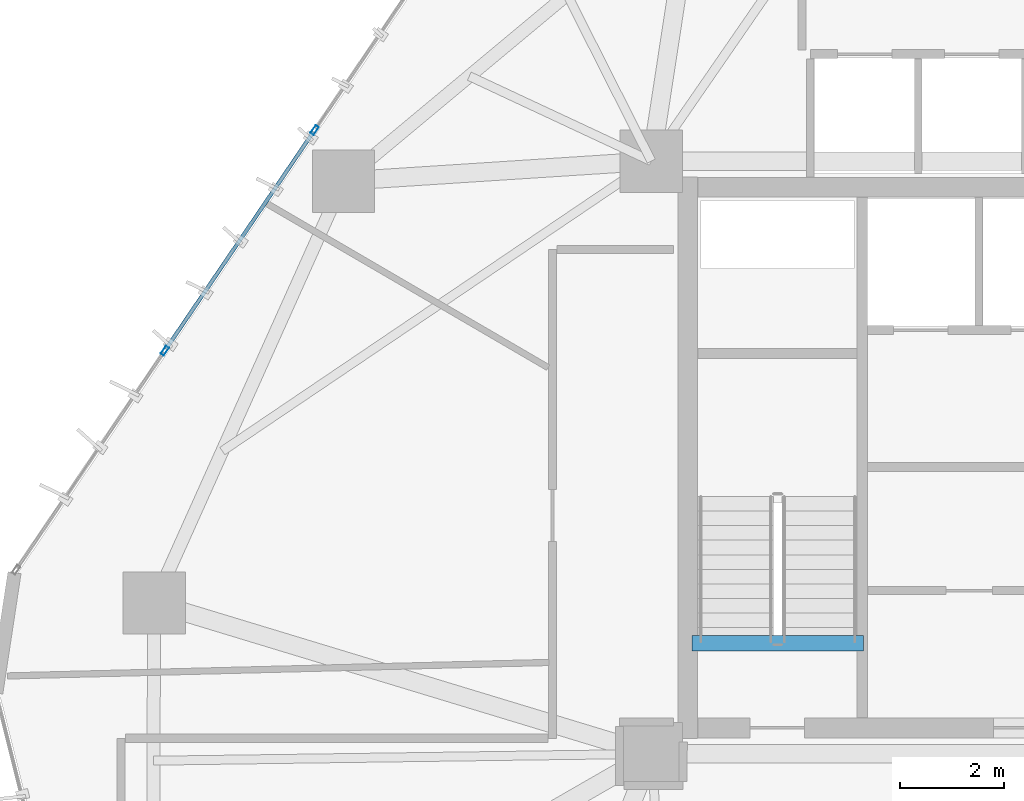
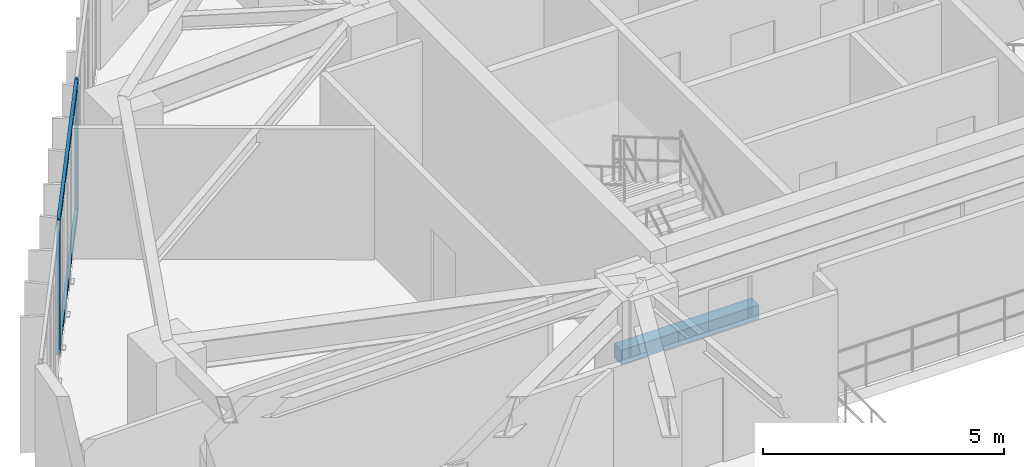
# One storey, part 9 of 22: 4 members, 1 beam, 1 element without a shape of its own.
"""IFC4 building model written with IfcOpenShell, lengths in metres."""

from ifc_helpers import new_model, si_unit, direction, frame, origin, origin_2d, place, context, subcontext, project, spatial, rectangle, hollow_rectangle, extrude, source, transform, mapped, material, layer, layer_set, material_profile, profile_set, type_object, type_shapes, element, aggregate, save


model = new_model("IFC4")

# Units and contexts
model_context = context("Model", 3, precision=1e-05, world=origin(), true_north=direction((0.0, 1.0)))
body_context = subcontext(model_context, "Body", "Model", "MODEL_VIEW")
ifc_project = project(units=[si_unit("LENGTHUNIT", "METRE"), si_unit("AREAUNIT", "SQUARE_METRE"), si_unit("VOLUMEUNIT", "CUBIC_METRE"), si_unit("PLANEANGLEUNIT", "RADIAN"), si_unit("MASSUNIT", "GRAM", prefix="KILO")], contexts=[model_context])

# Site, building, storey
site_placement = place(None, origin())
site = spatial("IfcSite", under=ifc_project, at=site_placement, CompositionType="ELEMENT")
building_placement = place(site_placement, origin())
building = spatial("IfcBuilding", under=site, at=building_placement, Name="Talar Marvaseh", CompositionType="ELEMENT")
storey_placement = place(building_placement, frame((0.0, 0.0, 125.39990234375)))
storey = spatial("IfcBuildingStorey", under=building, at=storey_placement, Name="L32", CompositionType="ELEMENT", Elevation=125.39990234375)

# Beam
ifc_material_1 = material(Name="Concrete C40/50", Category="concrete")
ifc_material_profile_1 = material_profile(ifc_material_1, rectangle(XDim=0.300048828125, YDim=0.360107421875, at=origin_2d()), Name="RC300x360")
ifc_profile_set_1 = profile_set([ifc_material_profile_1], Name="Concrete C40/50")
beam_type = type_object("IfcBeamType", Name="Concrete Stair Landing Trimmer Beam RC300x360", PredefinedType="SPANDREL", material=ifc_profile_set_1)
beam_placement = place(storey_placement, frame((22.780029296875, 27.6298828125, -0.179931640625), z_axis=(-1.0, 0.0, 0.0), x_axis=(0.0, -1.0, 0.0)))
element("IfcBeam", 1, at=beam_placement, inside=storey, type_object=beam_type, Name="L32 ST-1 Stair Nosing Trimmer Beam", PredefinedType="SPANDREL", context=body_context, shape_type="SweptSolid", body=[
    extrude(rectangle(XDim=0.300048828125, YDim=0.360107421875, at=origin_2d()), origin(), (0.0, 0.0, 1.0), 3.300048828125),
])

# Curtain wall, members
ifc_material_2 = material(Name="Architectural Aluminium", Category="aluminium")
ifc_layer = layer(ifc_material_2, 0.199951171875)
ifc_layer_set = layer_set([ifc_layer], Name="Architectural Aluminium")
curtain_wall_type = type_object("IfcCurtainWallType", Name="Unitised Acoustic Library Curtain Wall Z2", PredefinedType="NOTDEFINED", material=ifc_layer_set)
curtain_wall_placement = place(storey_placement, origin())
curtain_wall = element("IfcCurtainWall", 2, at=curtain_wall_placement, inside=storey, type_object=curtain_wall_type, Name="L32 Unitised Acoustic Library Curtain Wall Z2", PredefinedType="NOTDEFINED")
ifc_material_profile_2 = material_profile(ifc_material_2, hollow_rectangle(XDim=0.074951171875, YDim=0.179931640625, WallThickness=0.0048828125, at=origin_2d()), Name="RHS180x75x5")
ifc_profile_set_2 = profile_set([ifc_material_profile_2], Name="Architectural Aluminium")
member_type_1 = type_object("IfcMemberType", Name="Unitised Curtain Wall Standard Mullion RHS180x75x5", PredefinedType="MULLION", material=ifc_profile_set_2)
shared_shape_1 = source(origin(), body_context, "Body", "SweptSolid", [
    extrude(hollow_rectangle(XDim=0.074951171875, YDim=0.179931640625, WallThickness=0.0048828125, at=origin_2d()), origin(), (0.0, 0.0, 1.0), 3.31005859375),
])
type_shapes(member_type_1, [shared_shape_1])
member_1_placement = place(storey_placement, frame((9.3427734375, 33.25341796875, 0.0), z_axis=(0.0, 0.0, 1.0), x_axis=(-0.827258343786, 0.561821708939, 0.0)))
member_1 = element("IfcMember", 3, at=member_1_placement, type_object=member_type_1, Name="CW-Z2 mullion 2", PredefinedType="MULLION", context=body_context, shape_type="MappedRepresentation", body=[
    mapped(shared_shape_1, transform((0.0, 0.0, 0.0), x_axis=(1.0, 0.0, 0.0), y_axis=(0.0, 1.0, 0.0), z_axis=(0.0, 0.0, 1.0), scale=1.0)),
])
member_2_placement = place(storey_placement, frame((12.22509765625, 37.497314453125, 0.0), z_axis=(0.0, 0.0, 1.0), x_axis=(-0.827258343786, 0.561821708939, 0.0)))
member_2 = element("IfcMember", 4, at=member_2_placement, type_object=member_type_1, Name="CW-Z2 mullion 3", PredefinedType="MULLION", context=body_context, shape_type="MappedRepresentation", body=[
    mapped(shared_shape_1, transform((0.0, 0.0, 0.0), x_axis=(1.0, 0.0, 0.0), y_axis=(0.0, 1.0, 0.0), z_axis=(0.0, 0.0, 1.0), scale=1.0)),
])
ifc_material_profile_3 = material_profile(ifc_material_2, hollow_rectangle(XDim=0.074951171875, YDim=0.179931640625, WallThickness=0.0048828125, at=origin_2d()), Name="RHS180x75x5")
ifc_profile_set_3 = profile_set([ifc_material_profile_3], Name="Architectural Aluminium")
member_type_2 = type_object("IfcMemberType", Name="Unitised Curtain Wall Transom RHS180x75x5", PredefinedType="USERDEFINED", material=ifc_profile_set_3)
shared_shape_2 = source(origin(), body_context, "Body", "SweptSolid", [
    extrude(hollow_rectangle(XDim=0.074951171875, YDim=0.179931640625, WallThickness=0.0048828125, at=origin_2d()), origin(), (0.0, 0.0, 1.0), 5.054931640625),
])
type_shapes(member_type_2, [shared_shape_2])
member_3_placement = place(storey_placement, frame((9.364013671875, 33.284423828125, 0.03759765625), z_axis=(0.561790744219, 0.827279372226, 0.0), x_axis=(-0.827279372226, 0.561790744219, 0.0)))
member_3 = element("IfcMember", 5, at=member_3_placement, type_object=member_type_2, Name="CW-Z2 transom 2.1", ObjectType="TRANSOM", PredefinedType="USERDEFINED", context=body_context, shape_type="MappedRepresentation", body=[
    mapped(shared_shape_2, transform((0.0, 0.0, 0.0), x_axis=(1.0, 0.0, 0.0), y_axis=(0.0, 1.0, 0.0), z_axis=(0.0, 0.0, 1.0), scale=1.0)),
])
member_4_placement = place(storey_placement, frame((9.364013671875, 33.284423828125, 3.272705078125), z_axis=(0.561790744219, 0.827279372226, 0.0), x_axis=(-0.827279372226, 0.561790744219, 0.0)))
member_4 = element("IfcMember", 6, at=member_4_placement, type_object=member_type_2, Name="CW-Z2 transom 2.2", ObjectType="TRANSOM", PredefinedType="USERDEFINED", context=body_context, shape_type="MappedRepresentation", body=[
    mapped(shared_shape_2, transform((0.0, 0.0, 0.0), x_axis=(1.0, 0.0, 0.0), y_axis=(0.0, 1.0, 0.0), z_axis=(0.0, 0.0, 1.0), scale=1.0)),
])
aggregate(curtain_wall, [member_1, member_2, member_3, member_4])

save(model, "model.ifc")
